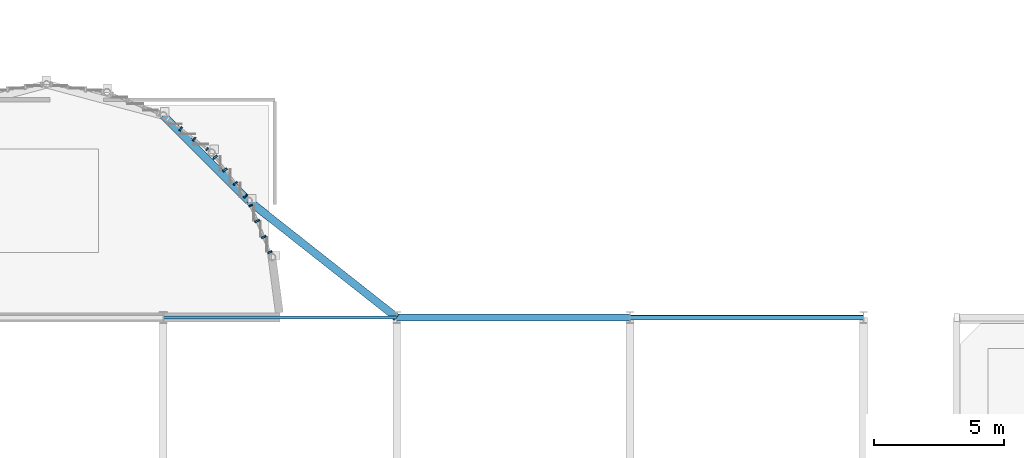
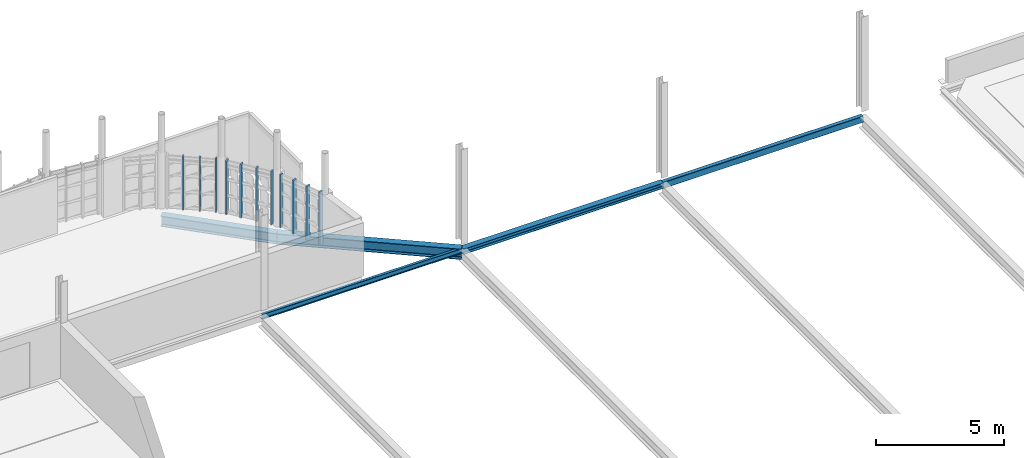
# One storey, part 15 of 44: 11 members, 5 beams, 3 elements without a shape of their own.
"""IFC4 building model written with IfcOpenShell, lengths in metres."""

from ifc_helpers import new_model, si_unit, direction, frame, origin, origin_2d, place, context, subcontext, project, spatial, rectangle, hollow_rectangle, i_section, extrude, material, material_profile, profile_set, type_object, element, aggregate, save


model = new_model("IFC4")

# Units and contexts
model_context = context("Model", 3, precision=1e-05, world=origin(), true_north=direction((0.0, 1.0)))
body_context = subcontext(model_context, "Body", "Model", "MODEL_VIEW")
ifc_project = project(units=[si_unit("LENGTHUNIT", "METRE"), si_unit("AREAUNIT", "SQUARE_METRE"), si_unit("VOLUMEUNIT", "CUBIC_METRE"), si_unit("PLANEANGLEUNIT", "RADIAN"), si_unit("MASSUNIT", "GRAM", prefix="KILO")], contexts=[model_context])

# Site, building, storey
site_placement = place(None, origin())
site = spatial("IfcSite", under=ifc_project, at=site_placement, CompositionType="ELEMENT")
building_placement = place(site_placement, origin())
building = spatial("IfcBuilding", under=site, at=building_placement, Name="Serraforn Aerial Cableway Station", CompositionType="ELEMENT")
storey_placement = place(building_placement, frame((0.0, 0.0, 13.800048828125)))
storey = spatial("IfcBuildingStorey", under=building, at=storey_placement, Name="L03", CompositionType="ELEMENT", Elevation=13.800048828125)

# Beams
ifc_material_1 = material(Name="Steel S355J2", Category="steel")
ifc_material_profile_1 = material_profile(ifc_material_1, i_section(OverallWidth=0.300048828125, OverallDepth=0.5, WebThickness=0.011962890625, FlangeThickness=0.02294921875, FilletRadius=0.027099609375, at=origin_2d()), Name="HEA 500")
ifc_profile_set_1 = profile_set([ifc_material_profile_1], Name="Steel S355J2")
beam_type_1 = type_object("IfcBeamType", Name="BM-ST-HEA500", PredefinedType="USERDEFINED", material=ifc_profile_set_1)
beam_1_placement = place(storey_placement, frame((63.60009765625, 49.794189453125, -0.545166015625), z_axis=(0.707106781187, -0.707106781187, 0.0), x_axis=(0.707106781187, 0.707106781187, 0.0)))
element("IfcBeam", 1, at=beam_1_placement, inside=storey, type_object=beam_type_1, Name="Apse Ring Girder L03-5", ObjectType="GIRDER", PredefinedType="USERDEFINED", context=body_context, shape_type="SweptSolid", body=[
    extrude(i_section(OverallWidth=0.300048828125, OverallDepth=0.5, WebThickness=0.011962890625, FlangeThickness=0.02294921875, FilletRadius=0.027099609375, at=origin_2d()), origin(), (0.0, 0.0, 1.0), 4.65869140625),
])
beam_2_placement = place(storey_placement, frame((66.894287109375, 46.5, -0.545166015625), z_axis=(0.785189683878, -0.619255327253, 0.0), x_axis=(0.619255327253, 0.785189683878, 0.0)))
element("IfcBeam", 2, at=beam_2_placement, inside=storey, type_object=beam_type_1, Name="Apse Ring Girder L03-6", ObjectType="GIRDER", PredefinedType="USERDEFINED", context=body_context, shape_type="SweptSolid", body=[
    extrude(i_section(OverallWidth=0.300048828125, OverallDepth=0.5, WebThickness=0.011962890625, FlangeThickness=0.02294921875, FilletRadius=0.027099609375, at=origin_2d()), origin(), (0.0, 0.0, 1.0), 7.266845703125),
])
ifc_material_profile_2 = material_profile(ifc_material_1, i_section(OverallWidth=0.260009765625, OverallDepth=0.260009765625, WebThickness=0.010009765625, FlangeThickness=0.017578125, FilletRadius=0.02392578125, at=origin_2d()), Name="HEB 260")
ifc_profile_set_2 = profile_set([ifc_material_profile_2], Name="Steel S355J2")
beam_type_2 = type_object("IfcBeamType", Name="BM-ST-HEB260", PredefinedType="BEAM", material=ifc_profile_set_2)
beam_3_placement = place(storey_placement, frame((72.60009765625, 42.0, -0.449951171875), z_axis=(1.0, 0.0, 0.0), x_axis=(0.0, 1.0, 0.0)))
element("IfcBeam", 3, at=beam_3_placement, inside=storey, type_object=beam_type_2, Name="Grid Girder X CV L03 Y4-6", PredefinedType="BEAM", context=body_context, shape_type="SweptSolid", body=[
    extrude(i_section(OverallWidth=0.260009765625, OverallDepth=0.260009765625, WebThickness=0.010009765625, FlangeThickness=0.017578125, FilletRadius=0.02392578125, at=origin_2d()), origin(), (0.0, 0.0, 1.0), 9.0),
])
ifc_material_2 = material(Name="Steel S355JR", Category="steel")
ifc_material_profile_3 = material_profile(ifc_material_2, i_section(OverallWidth=0.1201171875, OverallDepth=0.239990234375, WebThickness=0.006103515625, FlangeThickness=0.009765625, FilletRadius=0.014892578125, at=origin_2d()), Name="IPE 240")
ifc_profile_set_3 = profile_set([ifc_material_profile_3], Name="Steel S355JR")
beam_type_3 = type_object("IfcBeamType", Name="BM-ST-IPE240", PredefinedType="SPANDREL", material=ifc_profile_set_3)
beam_4_placement = place(storey_placement, frame((63.60009765625, 42.0, -0.43994140625), z_axis=(1.0, 0.0, 0.0), x_axis=(0.0, 1.0, 0.0)))
element("IfcBeam", 4, at=beam_4_placement, inside=storey, type_object=beam_type_3, Name="Grid Girder X CV L03 Y4-5", PredefinedType="SPANDREL", context=body_context, shape_type="SweptSolid", body=[
    extrude(i_section(OverallWidth=0.1201171875, OverallDepth=0.239990234375, WebThickness=0.006103515625, FlangeThickness=0.009765625, FilletRadius=0.014892578125, at=origin_2d()), origin(), (0.0, 0.0, 1.0), 9.0),
])
ifc_material_profile_4 = material_profile(ifc_material_1, hollow_rectangle(XDim=0.199951171875, YDim=0.300048828125, WallThickness=0.012451171875, InnerFilletRadius=0.012451171875, OuterFilletRadius=0.02490234375, at=origin_2d()), Name="RHS 300x200x12.5")
ifc_profile_set_4 = profile_set([ifc_material_profile_4], Name="Steel S355J2")
beam_type_4 = type_object("IfcBeamType", Name="BM-ST-RHS300", PredefinedType="SPANDREL", material=ifc_profile_set_4)
beam_5_placement = place(storey_placement, frame((81.60009765625, 42.0, -0.469970703125), z_axis=(1.0, 0.0, 0.0), x_axis=(0.0, 1.0, 0.0)))
element("IfcBeam", 5, at=beam_5_placement, inside=storey, type_object=beam_type_4, Name="Grid Girder X CV L03 Y4-7", PredefinedType="SPANDREL", context=body_context, shape_type="SweptSolid", body=[
    extrude(hollow_rectangle(XDim=0.199951171875, YDim=0.300048828125, WallThickness=0.012451171875, InnerFilletRadius=0.012451171875, OuterFilletRadius=0.02490234375, at=origin_2d()), origin(), (0.0, 0.0, 1.0), 9.0),
])

# Curtain wall, member
ifc_material_3 = material(Name="Anodised bronze unitised curtain wall")
curtain_wall_type_1 = type_object("IfcCurtainWallType", Name="CW-SYS-28", PredefinedType="USERDEFINED", material=ifc_material_3)
curtain_wall_1_placement = place(storey_placement, origin())
curtain_wall_1 = element("IfcCurtainWall", 6, at=curtain_wall_1_placement, inside=storey, type_object=curtain_wall_type_1, Name="Unitised Curtain Wall CW-AP-L03-R9", ObjectType="UNITISED CURTAIN WALL", PredefinedType="USERDEFINED")
ifc_material_4 = material(Name="Anodised bronze extruded aluminium", Category="aluminium")
ifc_material_profile_5 = material_profile(ifc_material_4, rectangle(XDim=0.054931640625, YDim=0.139892578125, at=origin_2d()), Name="CW MULLION 55x140")
ifc_profile_set_5 = profile_set([ifc_material_profile_5], Name="Anodised bronze extruded aluminium")
member_type_1 = type_object("IfcMemberType", Name="CW-MUL-1", PredefinedType="MULLION", material=ifc_profile_set_5)
member_1_placement = place(storey_placement, frame((65.2919921875, 48.49609375, 0.0), z_axis=(0.0, 0.0, 1.0), x_axis=(-0.793362901671, 0.608748968173, 0.0)))
member_1 = element("IfcMember", 7, at=member_1_placement, type_object=member_type_1, Name="Curtain Wall Mullion CW-AP-L03-R9-M1", PredefinedType="MULLION", context=body_context, shape_type="SweptSolid", body=[
    extrude(rectangle(XDim=0.054931640625, YDim=0.139892578125, at=origin_2d()), origin(), (0.0, 0.0, 1.0), 2.550048828125),
])

curtain_wall_type_2 = type_object("IfcCurtainWallType", Name="CW-SYS-2", PredefinedType="USERDEFINED", material=ifc_material_3)
curtain_wall_2_placement = place(storey_placement, origin())
curtain_wall_2 = element("IfcCurtainWall", 8, at=curtain_wall_2_placement, inside=storey, type_object=curtain_wall_type_2, Name="Unitised Curtain Wall CW-AP-L03-R11", ObjectType="UNITISED CURTAIN WALL", PredefinedType="USERDEFINED")
member_2_placement = place(storey_placement, frame((66.97216796875, 46.311767578125, 0.0), z_axis=(0.0, 0.0, 1.0), x_axis=(-0.382665829353, 0.923886823721, 0.0)))
member_2 = element("IfcMember", 9, at=member_2_placement, type_object=member_type_1, Name="Curtain Wall Mullion CW-AP-L03-R11-M4", PredefinedType="MULLION", context=body_context, shape_type="SweptSolid", body=[
    extrude(rectangle(XDim=0.054931640625, YDim=0.139892578125, at=origin_2d()), origin(), (0.0, 0.0, 1.0), 2.550048828125),
])

# Member
ifc_material_profile_6 = material_profile(ifc_material_4, rectangle(XDim=0.06005859375, YDim=0.159912109375, at=origin_2d()), Name="CW MULLION 60x160")
ifc_profile_set_6 = profile_set([ifc_material_profile_6], Name="Anodised bronze extruded aluminium")
member_type_2 = type_object("IfcMemberType", Name="CW-MUL-2", PredefinedType="MULLION", material=ifc_profile_set_6)
member_3_placement = place(storey_placement, frame((64.79248046875, 48.879150390625, 0.0), z_axis=(0.0, 0.0, 1.0), x_axis=(-0.793362901671, 0.608748968173, 0.0)))
member_3 = element("IfcMember", 10, at=member_3_placement, type_object=member_type_2, Name="Curtain Wall Mullion CW-AP-L03-R9-M2", PredefinedType="MULLION", context=body_context, shape_type="SweptSolid", body=[
    extrude(rectangle(XDim=0.06005859375, YDim=0.159912109375, at=origin_2d()), origin(), (0.0, 0.0, 1.0), 2.550048828125),
])

# Curtain wall, member
curtain_wall_type_3 = type_object("IfcCurtainWallType", Name="CW-SYS-1", PredefinedType="USERDEFINED", material=ifc_material_3)
curtain_wall_3_placement = place(storey_placement, origin())
curtain_wall_3 = element("IfcCurtainWall", 11, at=curtain_wall_3_placement, inside=storey, type_object=curtain_wall_type_3, Name="Unitised Curtain Wall CW-AP-L03-R10", ObjectType="UNITISED CURTAIN WALL", PredefinedType="USERDEFINED")
member_4_placement = place(storey_placement, frame((66.760498046875, 46.674072265625, 0.0), z_axis=(0.0, 0.0, 1.0), x_axis=(-0.608748968173, 0.793362901671, 0.0)))
member_4 = element("IfcMember", 12, at=member_4_placement, type_object=member_type_2, Name="Curtain Wall Mullion CW-AP-L03-R10-M1", PredefinedType="MULLION", context=body_context, shape_type="SweptSolid", body=[
    extrude(rectangle(XDim=0.06005859375, YDim=0.159912109375, at=origin_2d()), origin(), (0.0, 0.0, 1.0), 2.550048828125),
])

# Member
ifc_material_profile_7 = material_profile(ifc_material_4, rectangle(XDim=0.06494140625, YDim=0.175048828125, at=origin_2d()), Name="CW MULLION 65x175")
ifc_profile_set_7 = profile_set([ifc_material_profile_7], Name="Anodised bronze extruded aluminium")
member_type_3 = type_object("IfcMemberType", Name="CW-MUL-3", PredefinedType="MULLION", material=ifc_profile_set_7)
member_5_placement = place(storey_placement, frame((64.271484375, 49.279052734375, 0.0), z_axis=(0.0, 0.0, 1.0), x_axis=(-0.793362901671, 0.608748968173, 0.0)))
member_5 = element("IfcMember", 13, at=member_5_placement, type_object=member_type_3, Name="Curtain Wall Mullion CW-AP-L03-R9-M3", PredefinedType="MULLION", context=body_context, shape_type="SweptSolid", body=[
    extrude(rectangle(XDim=0.06494140625, YDim=0.175048828125, at=origin_2d()), origin(), (0.0, 0.0, 1.0), 2.550048828125),
])

aggregate(curtain_wall_1, [member_1, member_3, member_5])

member_6_placement = place(storey_placement, frame((66.37890625, 47.17138671875, 0.0), z_axis=(0.0, 0.0, 1.0), x_axis=(-0.608748968173, 0.793362901671, 0.0)))
member_6 = element("IfcMember", 14, at=member_6_placement, type_object=member_type_3, Name="Curtain Wall Mullion CW-AP-L03-R10-M2", PredefinedType="MULLION", context=body_context, shape_type="SweptSolid", body=[
    extrude(rectangle(XDim=0.06494140625, YDim=0.175048828125, at=origin_2d()), origin(), (0.0, 0.0, 1.0), 2.550048828125),
])

member_7_placement = place(storey_placement, frame((67.71337890625, 44.522216796875, 0.0), z_axis=(0.0, 0.0, 1.0), x_axis=(-0.382665829353, 0.923886823721, 0.0)))
member_7 = element("IfcMember", 15, at=member_7_placement, type_object=member_type_3, Name="Curtain Wall Mullion CW-AP-L03-R11-M1", PredefinedType="MULLION", context=body_context, shape_type="SweptSolid", body=[
    extrude(rectangle(XDim=0.06494140625, YDim=0.175048828125, at=origin_2d()), origin(), (0.0, 0.0, 1.0), 2.550048828125),
])

ifc_material_profile_8 = material_profile(ifc_material_4, rectangle(XDim=0.070068359375, YDim=0.18994140625, at=origin_2d()), Name="CW MULLION 70x190")
ifc_profile_set_8 = profile_set([ifc_material_profile_8], Name="Anodised bronze extruded aluminium")
member_type_4 = type_object("IfcMemberType", Name="CW-MUL-4", PredefinedType="MULLION", material=ifc_profile_set_8)
member_8_placement = place(storey_placement, frame((65.979248046875, 47.692626953125, 0.0), z_axis=(0.0, 0.0, 1.0), x_axis=(-0.608748968173, 0.793362901671, 0.0)))
member_8 = element("IfcMember", 16, at=member_8_placement, type_object=member_type_4, Name="Curtain Wall Mullion CW-AP-L03-R10-M3", PredefinedType="MULLION", context=body_context, shape_type="SweptSolid", body=[
    extrude(rectangle(XDim=0.070068359375, YDim=0.18994140625, at=origin_2d()), origin(), (0.0, 0.0, 1.0), 2.550048828125),
])

member_9_placement = place(storey_placement, frame((67.47119140625, 45.107177734375, 0.0), z_axis=(0.0, 0.0, 1.0), x_axis=(-0.382665829353, 0.923886823721, 0.0)))
member_9 = element("IfcMember", 17, at=member_9_placement, type_object=member_type_4, Name="Curtain Wall Mullion CW-AP-L03-R11-M2", PredefinedType="MULLION", context=body_context, shape_type="SweptSolid", body=[
    extrude(rectangle(XDim=0.070068359375, YDim=0.18994140625, at=origin_2d()), origin(), (0.0, 0.0, 1.0), 2.550048828125),
])

ifc_material_profile_9 = material_profile(ifc_material_4, rectangle(XDim=0.074951171875, YDim=0.199951171875, at=origin_2d()), Name="CW MULLION 75x200")
ifc_profile_set_9 = profile_set([ifc_material_profile_9], Name="Anodised bronze extruded aluminium")
member_type_5 = type_object("IfcMemberType", Name="CW-MUL-5", PredefinedType="MULLION", material=ifc_profile_set_9)
member_10_placement = place(storey_placement, frame((65.60205078125, 48.183837890625, 0.0), z_axis=(0.0, 0.0, 1.0), x_axis=(-0.608748968173, 0.793362901671, 0.0)))
member_10 = element("IfcMember", 18, at=member_10_placement, type_object=member_type_5, Name="Curtain Wall Mullion CW-AP-L03-R10-M4", PredefinedType="MULLION", context=body_context, shape_type="SweptSolid", body=[
    extrude(rectangle(XDim=0.074951171875, YDim=0.199951171875, at=origin_2d()), origin(), (0.0, 0.0, 1.0), 2.550048828125),
])

aggregate(curtain_wall_3, [member_4, member_6, member_8, member_10])

member_11_placement = place(storey_placement, frame((67.21630859375, 45.72216796875, 0.0), z_axis=(0.0, 0.0, 1.0), x_axis=(-0.382665829353, 0.923886823721, 0.0)))
member_11 = element("IfcMember", 19, at=member_11_placement, type_object=member_type_5, Name="Curtain Wall Mullion CW-AP-L03-R11-M3", PredefinedType="MULLION", context=body_context, shape_type="SweptSolid", body=[
    extrude(rectangle(XDim=0.074951171875, YDim=0.199951171875, at=origin_2d()), origin(), (0.0, 0.0, 1.0), 2.550048828125),
])

aggregate(curtain_wall_2, [member_7, member_9, member_11, member_2])

save(model, "model.ifc")
